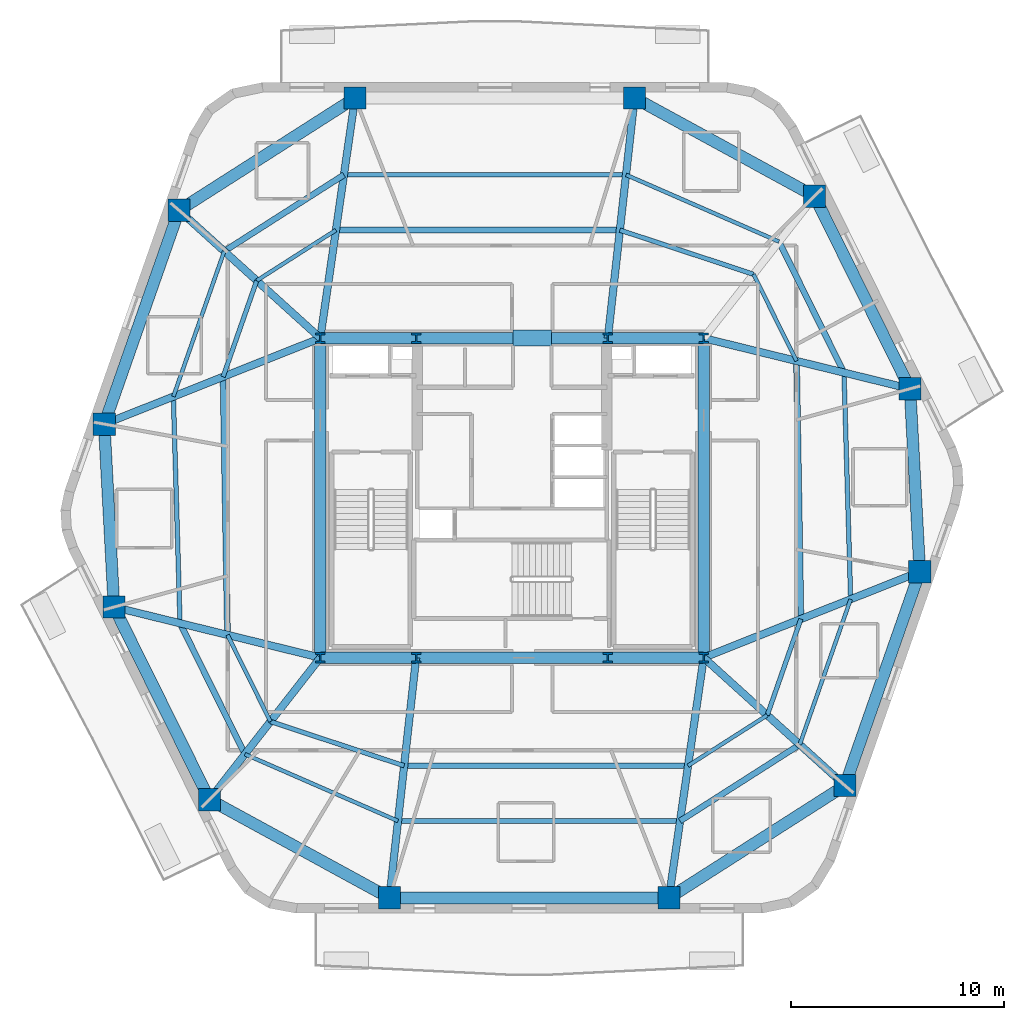
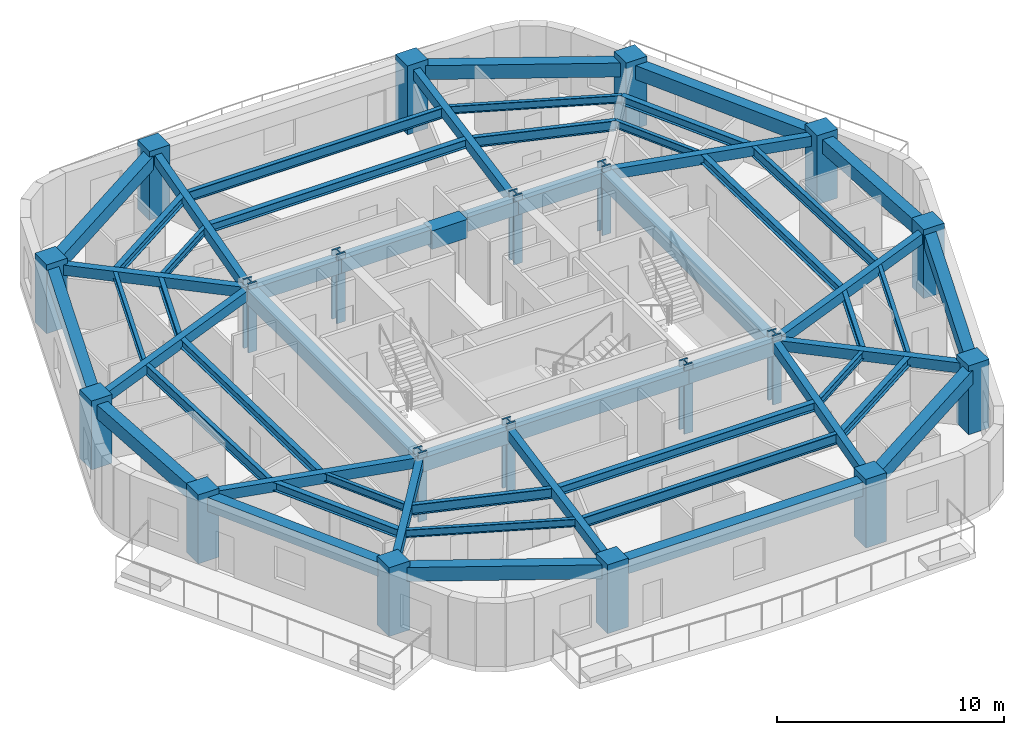
# One storey, part 1 of 10: 55 beams, 20 columns.
"""IFC4 building model written with IfcOpenShell, lengths in metres."""

from ifc_helpers import new_model, si_unit, direction, frame, origin, origin_2d, place, context, subcontext, project, spatial, rectangle, i_section, extrude, material, material_profile, profile_set, type_object, element, save


model = new_model("IFC4")

# Units and contexts
model_context = context("Model", 3, precision=1e-05, world=origin(), true_north=direction((0.0, 1.0)))
body_context = subcontext(model_context, "Body", "Model", "MODEL_VIEW")
ifc_project = project(units=[si_unit("LENGTHUNIT", "METRE"), si_unit("AREAUNIT", "SQUARE_METRE"), si_unit("VOLUMEUNIT", "CUBIC_METRE"), si_unit("PLANEANGLEUNIT", "RADIAN"), si_unit("MASSUNIT", "GRAM", prefix="KILO")], contexts=[model_context])

# Site, building, storey
site_placement = place(None, origin())
site = spatial("IfcSite", under=ifc_project, at=site_placement, CompositionType="ELEMENT")
building_placement = place(site_placement, origin())
building = spatial("IfcBuilding", under=site, at=building_placement, Name="Kilnhurst Terrace Hotel", CompositionType="ELEMENT")
storey_placement = place(building_placement, frame((0.0, 0.0, 186.699951171875)))
storey = spatial("IfcBuildingStorey", under=building, at=storey_placement, Name="L46", CompositionType="ELEMENT", Elevation=186.699951171875)

# Columns
ifc_material_1 = material(Name="Concrete C80/95", Category="concrete")
ifc_material_profile_1 = material_profile(ifc_material_1, rectangle(XDim=1.050048828125, YDim=1.050048828125, at=origin_2d()), Name="RC1050X1050")
ifc_profile_set_1 = profile_set([ifc_material_profile_1], Name="Concrete C80/95")
column_type_1 = type_object("IfcColumnType", Name="COL-RC-1050", PredefinedType="COLUMN", material=ifc_profile_set_1)
for number, where, z_axis, x_axis, name in (
    (1, (-5.7548828125, -18.780029296875, 0.0), (0.0, 0.0, 1.0), (1.0, 0.0, 0.0), "L46 Structural Column PC-F11"),
    (2, (7.368896484375, -18.780029296875, 0.0), (0.0, 0.0, 1.0), (1.0, 0.0, 0.0), "L46 Structural Column PC-F12"),
    (3, (15.633056640625, -13.5048828125, 0.0), (0.0, 0.0, 1.0), (1.0, 0.0, 0.0), "L46 Structural Column PC-F21"),
    (4, (19.14794921875, -3.467041015625, 0.0), (0.0, 0.0, 1.0), (1.0, 0.0, 0.0), "L46 Structural Column PC-F22"),
    (5, (18.68701171875, 5.1240234375, 0.0), (0.0, 0.0, 1.0), (1.0, 0.0, 0.0), "L46 Structural Column PC-F31"),
    (6, (14.2041015625, 14.166015625, 0.0), (0.0, 0.0, 1.0), (1.0, 0.0, 0.0), "L46 Structural Column PC-F32"),
    (7, (5.7548828125, 18.780029296875, 0.0), (0.0, 0.0, 1.0), (1.0, 0.0, 0.0), "L46 Structural Column PC-F41"),
    (8, (-7.368896484375, 18.780029296875, 0.0), (0.0, 0.0, 1.0), (1.0, 0.0, 0.0), "L46 Structural Column PC-F42"),
    (9, (-15.633056640625, 13.5048828125, 0.0), (0.0, 0.0, 1.0), (1.0, 0.0, 0.0), "L46 Structural Column PC-F51"),
    (10, (-19.14794921875, 3.467041015625, 0.0), (0.0, 0.0, 1.0), (1.0, 0.0, 0.0), "L46 Structural Column PC-F52"),
    (11, (-18.68701171875, -5.1240234375, 0.0), (0.0, 0.0, 1.0), (1.0, 0.0, 0.0), "L46 Structural Column PC-F61"),
    (12, (-14.2041015625, -14.166015625, 0.0), (0.0, 0.0, 1.0), (1.0, 0.0, 0.0), "L46 Structural Column PC-F62"),
):
    element("IfcColumn", number, at=place(storey_placement, frame(where, z_axis=z_axis, x_axis=x_axis)), inside=storey, type_object=column_type_1, Name=name, PredefinedType="COLUMN", context=body_context, shape_type="SweptSolid", body=[
        extrude(rectangle(XDim=1.050048828125, YDim=1.050048828125, at=origin_2d()), origin(), (0.0, 0.0, 1.0), 3.699951171875),
    ])
ifc_material_2 = material(Name="Steel ASTM A992 Grade 50", Category="steel")
ifc_material_profile_2 = material_profile(ifc_material_2, i_section(OverallWidth=0.43212890625, OverallDepth=0.497802734375, WebThickness=0.0556640625, FlangeThickness=0.0888671875, at=origin_2d()), Name="W14X500")
ifc_profile_set_2 = profile_set([ifc_material_profile_2], Name="Steel ASTM A992 Grade 50")
column_type_2 = type_object("IfcColumnType", Name="COL-STL-W14X500", PredefinedType="COLUMN", material=ifc_profile_set_2)
for number, where, z_axis, x_axis, name in (
    (13, (-9.0, -7.5, 0.0), (0.0, 0.0, 1.0), (1.0, 0.0, 0.0), "L46 Structural Column CC-SW"),
    (14, (-4.5, -7.5, 0.0), (0.0, 0.0, 1.0), (1.0, 0.0, 0.0), "L46 Structural Column CC-SC1"),
    (15, (4.5, -7.5, 0.0), (0.0, 0.0, 1.0), (1.0, 0.0, 0.0), "L46 Structural Column CC-SC2"),
    (16, (9.0, -7.5, 0.0), (0.0, 0.0, 1.0), (1.0, 0.0, 0.0), "L46 Structural Column CC-SE"),
    (17, (9.0, 7.5, 0.0), (0.0, 0.0, 1.0), (1.0, 0.0, 0.0), "L46 Structural Column CC-NE"),
    (18, (4.5, 7.5, 0.0), (0.0, 0.0, 1.0), (1.0, 0.0, 0.0), "L46 Structural Column CC-NC2"),
    (19, (-4.5, 7.5, 0.0), (0.0, 0.0, 1.0), (1.0, 0.0, 0.0), "L46 Structural Column CC-NC1"),
    (20, (-9.0, 7.5, 0.0), (0.0, 0.0, 1.0), (1.0, 0.0, 0.0), "L46 Structural Column CC-NW"),
):
    element("IfcColumn", number, at=place(storey_placement, frame(where, z_axis=z_axis, x_axis=x_axis)), inside=storey, type_object=column_type_2, Name=name, PredefinedType="COLUMN", context=body_context, shape_type="SweptSolid", body=[
        extrude(i_section(OverallWidth=0.43212890625, OverallDepth=0.497802734375, WebThickness=0.0556640625, FlangeThickness=0.0888671875, at=origin_2d()), origin(), (0.0, 0.0, 1.0), 3.699951171875),
    ])

# Beams
ifc_material_3 = material(Name="Concrete C50/60", Category="concrete")
ifc_material_profile_3 = material_profile(ifc_material_3, rectangle(XDim=0.35009765625, YDim=0.550048828125, at=origin_2d()), Name="RC350X550")
ifc_profile_set_3 = profile_set([ifc_material_profile_3], Name="Concrete C50/60")
beam_type_1 = type_object("IfcBeamType", Name="BM-RAD-350X550", PredefinedType="BEAM", material=ifc_profile_set_3)
beam_1_placement = place(storey_placement, frame((-4.5, -7.5, 3.125), z_axis=(-0.110566099441, -0.993868772854, 0.0), x_axis=(0.993868772854, -0.110566099441, 0.0)))
element("IfcBeam", 21, at=beam_1_placement, inside=storey, type_object=beam_type_1, Name="L46 Radial Floor Beam 1", PredefinedType="BEAM", context=body_context, shape_type="SweptSolid", body=[
    extrude(rectangle(XDim=0.35009765625, YDim=0.550048828125, at=origin_2d()), origin(), (0.0, 0.0, 1.0), 11.349609375),
])
beam_2_placement = place(storey_placement, frame((9.0, -7.5, 3.125), z_axis=(-0.143112538238, -0.989706421824, 0.0), x_axis=(0.989706421824, -0.143112538238, 0.0)))
element("IfcBeam", 22, at=beam_2_placement, inside=storey, type_object=beam_type_1, Name="L46 Radial Floor Beam 2", PredefinedType="BEAM", context=body_context, shape_type="SweptSolid", body=[
    extrude(rectangle(XDim=0.35009765625, YDim=0.550048828125, at=origin_2d()), origin(), (0.0, 0.0, 1.0), 11.3974609375),
])
beam_3_placement = place(storey_placement, frame((9.0, -7.5, 3.125), z_axis=(0.741338585645, -0.671131210296, 0.0), x_axis=(0.671131210296, 0.741338585645, 0.0)))
element("IfcBeam", 23, at=beam_3_placement, inside=storey, type_object=beam_type_1, Name="L46 Radial Floor Beam 3", PredefinedType="BEAM", context=body_context, shape_type="SweptSolid", body=[
    extrude(rectangle(XDim=0.35009765625, YDim=0.550048828125, at=origin_2d()), origin(), (0.0, 0.0, 1.0), 8.947509765625),
])
beam_4_placement = place(storey_placement, frame((9.0, -7.5, 3.125), z_axis=(0.929302373458, 0.369319778356, 0.0), x_axis=(-0.369319778356, 0.929302373458, 0.0)))
element("IfcBeam", 24, at=beam_4_placement, inside=storey, type_object=beam_type_1, Name="L46 Radial Floor Beam 4", PredefinedType="BEAM", context=body_context, shape_type="SweptSolid", body=[
    extrude(rectangle(XDim=0.35009765625, YDim=0.550048828125, at=origin_2d()), origin(), (0.0, 0.0, 1.0), 10.919921875),
])
beam_5_placement = place(storey_placement, frame((9.0, 7.5, 3.125), z_axis=(0.971212767405, -0.238213686486, 0.0), x_axis=(0.238213686486, 0.971212767405, 0.0)))
element("IfcBeam", 25, at=beam_5_placement, inside=storey, type_object=beam_type_1, Name="L46 Radial Floor Beam 5", PredefinedType="BEAM", context=body_context, shape_type="SweptSolid", body=[
    extrude(rectangle(XDim=0.35009765625, YDim=0.550048828125, at=origin_2d()), origin(), (0.0, 0.0, 1.0), 9.97412109375),
])
beam_6_placement = place(storey_placement, frame((4.5, 7.5, 3.125), z_axis=(0.110566099441, 0.993868772854, 0.0), x_axis=(-0.993868772854, 0.110566099441, 0.0)))
element("IfcBeam", 26, at=beam_6_placement, inside=storey, type_object=beam_type_1, Name="L46 Radial Floor Beam 7", PredefinedType="BEAM", context=body_context, shape_type="SweptSolid", body=[
    extrude(rectangle(XDim=0.35009765625, YDim=0.550048828125, at=origin_2d()), origin(), (0.0, 0.0, 1.0), 11.349609375),
])
beam_7_placement = place(storey_placement, frame((-9.0, 7.5, 3.125), z_axis=(0.143112538238, 0.989706421824, 0.0), x_axis=(-0.989706421824, 0.143112538238, 0.0)))
element("IfcBeam", 27, at=beam_7_placement, inside=storey, type_object=beam_type_1, Name="L46 Radial Floor Beam 8", PredefinedType="BEAM", context=body_context, shape_type="SweptSolid", body=[
    extrude(rectangle(XDim=0.35009765625, YDim=0.550048828125, at=origin_2d()), origin(), (0.0, 0.0, 1.0), 11.3974609375),
])
beam_8_placement = place(storey_placement, frame((-9.0, 7.5, 3.125), z_axis=(-0.741338585645, 0.671131210296, 0.0), x_axis=(-0.671131210296, -0.741338585645, 0.0)))
element("IfcBeam", 28, at=beam_8_placement, inside=storey, type_object=beam_type_1, Name="L46 Radial Floor Beam 9", PredefinedType="BEAM", context=body_context, shape_type="SweptSolid", body=[
    extrude(rectangle(XDim=0.35009765625, YDim=0.550048828125, at=origin_2d()), origin(), (0.0, 0.0, 1.0), 8.947509765625),
])
beam_9_placement = place(storey_placement, frame((-9.0, 7.5, 3.125), z_axis=(-0.929302373458, -0.369319778356, 0.0), x_axis=(0.369319778356, -0.929302373458, 0.0)))
element("IfcBeam", 29, at=beam_9_placement, inside=storey, type_object=beam_type_1, Name="L46 Radial Floor Beam 10", PredefinedType="BEAM", context=body_context, shape_type="SweptSolid", body=[
    extrude(rectangle(XDim=0.35009765625, YDim=0.550048828125, at=origin_2d()), origin(), (0.0, 0.0, 1.0), 10.919921875),
])
beam_10_placement = place(storey_placement, frame((-9.0, -7.5, 3.125), z_axis=(-0.971212767405, 0.238213686486, 0.0), x_axis=(-0.238213686486, -0.971212767405, 0.0)))
element("IfcBeam", 30, at=beam_10_placement, inside=storey, type_object=beam_type_1, Name="L46 Radial Floor Beam 11", PredefinedType="BEAM", context=body_context, shape_type="SweptSolid", body=[
    extrude(rectangle(XDim=0.35009765625, YDim=0.550048828125, at=origin_2d()), origin(), (0.0, 0.0, 1.0), 9.97412109375),
])
beam_11_placement = place(storey_placement, frame((-9.0, -7.5, 3.125), z_axis=(-0.615370616457, -0.78823791104, 0.0), x_axis=(0.78823791104, -0.615370616457, 0.0)))
element("IfcBeam", 31, at=beam_11_placement, inside=storey, type_object=beam_type_1, Name="L46 Radial Floor Beam 12", PredefinedType="BEAM", context=body_context, shape_type="SweptSolid", body=[
    extrude(rectangle(XDim=0.35009765625, YDim=0.550048828125, at=origin_2d()), origin(), (0.0, 0.0, 1.0), 8.456787109375),
])
ifc_material_profile_4 = material_profile(ifc_material_3, rectangle(XDim=0.550048828125, YDim=0.75, at=origin_2d()), Name="RC550X750")
ifc_profile_set_4 = profile_set([ifc_material_profile_4], Name="Concrete C50/60")
beam_type_2 = type_object("IfcBeamType", Name="BM-SPN-550X750", PredefinedType="SPANDREL", material=ifc_profile_set_4)
beam_12_placement = place(storey_placement, frame((-9.0, 7.5, 3.025146484375), z_axis=(1.0, 0.0, 0.0), x_axis=(0.0, 1.0, 0.0)))
element("IfcBeam", 32, at=beam_12_placement, inside=storey, type_object=beam_type_2, Name="L46 Core Tie Beam CC-NW to CC-NC1", PredefinedType="SPANDREL", context=body_context, shape_type="SweptSolid", body=[
    extrude(rectangle(XDim=0.550048828125, YDim=0.75, at=origin_2d()), origin(), (0.0, 0.0, 1.0), 4.5),
])
beam_13_placement = place(storey_placement, frame((-4.5, 7.5, 3.025146484375), z_axis=(1.0, 0.0, 0.0), x_axis=(0.0, 1.0, 0.0)))
element("IfcBeam", 33, at=beam_13_placement, inside=storey, type_object=beam_type_2, Name="L46 Core Tie Beam CC-NC1 to CC-NC2", PredefinedType="SPANDREL", context=body_context, shape_type="SweptSolid", body=[
    extrude(rectangle(XDim=0.550048828125, YDim=0.75, at=origin_2d()), origin(), (0.0, 0.0, 1.0), 9.0),
])
for number, where, z_axis, x_axis, name in (
    (34, (4.5, 7.5, 3.025146484375), (1.0, 0.0, 0.0), (0.0, 1.0, 0.0), "L46 Core Tie Beam CC-NC2 to CC-NE"),
    (35, (-9.0, -7.5, 3.025146484375), (1.0, 0.0, 0.0), (0.0, 1.0, 0.0), "L46 Core Tie Beam CC-SW to CC-SC1"),
):
    element("IfcBeam", number, at=place(storey_placement, frame(where, z_axis=z_axis, x_axis=x_axis)), inside=storey, type_object=beam_type_2, Name=name, PredefinedType="SPANDREL", context=body_context, shape_type="SweptSolid", body=[
        extrude(rectangle(XDim=0.550048828125, YDim=0.75, at=origin_2d()), origin(), (0.0, 0.0, 1.0), 4.5),
    ])
beam_14_placement = place(storey_placement, frame((-4.5, -7.5, 3.025146484375), z_axis=(1.0, 0.0, 0.0), x_axis=(0.0, 1.0, 0.0)))
element("IfcBeam", 36, at=beam_14_placement, inside=storey, type_object=beam_type_2, Name="L46 Core Tie Beam CC-SC1 to CC-SC2", PredefinedType="SPANDREL", context=body_context, shape_type="SweptSolid", body=[
    extrude(rectangle(XDim=0.550048828125, YDim=0.75, at=origin_2d()), origin(), (0.0, 0.0, 1.0), 9.0),
])
beam_15_placement = place(storey_placement, frame((4.5, -7.5, 3.025146484375), z_axis=(1.0, 0.0, 0.0), x_axis=(0.0, 1.0, 0.0)))
element("IfcBeam", 37, at=beam_15_placement, inside=storey, type_object=beam_type_2, Name="L46 Core Tie Beam CC-SC2 to CC-SE", PredefinedType="SPANDREL", context=body_context, shape_type="SweptSolid", body=[
    extrude(rectangle(XDim=0.550048828125, YDim=0.75, at=origin_2d()), origin(), (0.0, 0.0, 1.0), 4.5),
])
for number, where, z_axis, x_axis, name in (
    (38, (-9.0, -7.5, 3.025146484375), (0.0, 1.0, 0.0), (-1.0, 0.0, 0.0), "L46 Core Tie Beam CC-SW to CC-NW"),
    (39, (9.0, -7.5, 3.025146484375), (0.0, 1.0, 0.0), (-1.0, 0.0, 0.0), "L46 Core Tie Beam CC-SE to CC-NE"),
):
    element("IfcBeam", number, at=place(storey_placement, frame(where, z_axis=z_axis, x_axis=x_axis)), inside=storey, type_object=beam_type_2, Name=name, PredefinedType="SPANDREL", context=body_context, shape_type="SweptSolid", body=[
        extrude(rectangle(XDim=0.550048828125, YDim=0.75, at=origin_2d()), origin(), (0.0, 0.0, 1.0), 15.0),
    ])
beam_16_placement = place(storey_placement, frame((-5.7548828125, -18.780029296875, 3.025146484375), z_axis=(1.0, 0.0, 0.0), x_axis=(0.0, 1.0, 0.0)))
element("IfcBeam", 40, at=beam_16_placement, inside=storey, type_object=beam_type_2, Name="L46 Perimeter Spandrel Beam 1", PredefinedType="SPANDREL", context=body_context, shape_type="SweptSolid", body=[
    extrude(rectangle(XDim=0.550048828125, YDim=0.75, at=origin_2d()), origin(), (0.0, 0.0, 1.0), 13.123779296875),
])
beam_17_placement = place(storey_placement, frame((7.368896484375, -18.780029296875, 3.025146484375), z_axis=(0.842915241256, 0.538046369803, 0.0), x_axis=(-0.538046369803, 0.842915241256, 0.0)))
element("IfcBeam", 41, at=beam_17_placement, inside=storey, type_object=beam_type_2, Name="L46 Perimeter Spandrel Beam 2", PredefinedType="SPANDREL", context=body_context, shape_type="SweptSolid", body=[
    extrude(rectangle(XDim=0.550048828125, YDim=0.75, at=origin_2d()), origin(), (0.0, 0.0, 1.0), 9.80419921875),
])
beam_18_placement = place(storey_placement, frame((15.633056640625, -13.5048828125, 3.025146484375), z_axis=(0.330488460168, 0.943810032632, 0.0), x_axis=(-0.943810032632, 0.330488460168, 0.0)))
element("IfcBeam", 42, at=beam_18_placement, inside=storey, type_object=beam_type_2, Name="L46 Perimeter Spandrel Beam 3", PredefinedType="SPANDREL", context=body_context, shape_type="SweptSolid", body=[
    extrude(rectangle(XDim=0.550048828125, YDim=0.75, at=origin_2d()), origin(), (0.0, 0.0, 1.0), 10.635498046875),
])
beam_19_placement = place(storey_placement, frame((19.14794921875, -3.467041015625, 3.025146484375), z_axis=(-0.053576072051, 0.998563770875, 0.0), x_axis=(-0.998563770875, -0.053576072051, 0.0)))
element("IfcBeam", 43, at=beam_19_placement, inside=storey, type_object=beam_type_2, Name="L46 Perimeter Spandrel Beam 4", PredefinedType="SPANDREL", context=body_context, shape_type="SweptSolid", body=[
    extrude(rectangle(XDim=0.550048828125, YDim=0.75, at=origin_2d()), origin(), (0.0, 0.0, 1.0), 8.603515625),
])
beam_20_placement = place(storey_placement, frame((18.68701171875, 5.1240234375, 3.025146484375), z_axis=(-0.444192032261, 0.895931603682, 0.0), x_axis=(-0.895931603682, -0.444192032261, 0.0)))
element("IfcBeam", 44, at=beam_20_placement, inside=storey, type_object=beam_type_2, Name="L46 Perimeter Spandrel Beam 5", PredefinedType="SPANDREL", context=body_context, shape_type="SweptSolid", body=[
    extrude(rectangle(XDim=0.550048828125, YDim=0.75, at=origin_2d()), origin(), (0.0, 0.0, 1.0), 10.09228515625),
])
beam_21_placement = place(storey_placement, frame((14.2041015625, 14.166015625, 3.025146484375), z_axis=(-0.87766189723, 0.479280287672, 0.0), x_axis=(-0.479280287672, -0.87766189723, 0.0)))
element("IfcBeam", 45, at=beam_21_placement, inside=storey, type_object=beam_type_2, Name="L46 Perimeter Spandrel Beam 6", PredefinedType="SPANDREL", context=body_context, shape_type="SweptSolid", body=[
    extrude(rectangle(XDim=0.550048828125, YDim=0.75, at=origin_2d()), origin(), (0.0, 0.0, 1.0), 9.626953125),
])
beam_22_placement = place(storey_placement, frame((-7.368896484375, 18.780029296875, 3.025146484375), z_axis=(-0.842915241256, -0.538046369803, 0.0), x_axis=(0.538046369803, -0.842915241256, 0.0)))
element("IfcBeam", 46, at=beam_22_placement, inside=storey, type_object=beam_type_2, Name="L46 Perimeter Spandrel Beam 8", PredefinedType="SPANDREL", context=body_context, shape_type="SweptSolid", body=[
    extrude(rectangle(XDim=0.550048828125, YDim=0.75, at=origin_2d()), origin(), (0.0, 0.0, 1.0), 9.80419921875),
])
beam_23_placement = place(storey_placement, frame((-15.633056640625, 13.5048828125, 3.025146484375), z_axis=(-0.330488460168, -0.943810032632, 0.0), x_axis=(0.943810032632, -0.330488460168, 0.0)))
element("IfcBeam", 47, at=beam_23_placement, inside=storey, type_object=beam_type_2, Name="L46 Perimeter Spandrel Beam 9", PredefinedType="SPANDREL", context=body_context, shape_type="SweptSolid", body=[
    extrude(rectangle(XDim=0.550048828125, YDim=0.75, at=origin_2d()), origin(), (0.0, 0.0, 1.0), 10.635498046875),
])
beam_24_placement = place(storey_placement, frame((-19.14794921875, 3.467041015625, 3.025146484375), z_axis=(0.053576072051, -0.998563770875, 0.0), x_axis=(0.998563770875, 0.053576072051, 0.0)))
element("IfcBeam", 48, at=beam_24_placement, inside=storey, type_object=beam_type_2, Name="L46 Perimeter Spandrel Beam 10", PredefinedType="SPANDREL", context=body_context, shape_type="SweptSolid", body=[
    extrude(rectangle(XDim=0.550048828125, YDim=0.75, at=origin_2d()), origin(), (0.0, 0.0, 1.0), 8.603515625),
])
beam_25_placement = place(storey_placement, frame((-18.68701171875, -5.1240234375, 3.025146484375), z_axis=(0.444192032261, -0.895931603682, 0.0), x_axis=(0.895931603682, 0.444192032261, 0.0)))
element("IfcBeam", 49, at=beam_25_placement, inside=storey, type_object=beam_type_2, Name="L46 Perimeter Spandrel Beam 11", PredefinedType="SPANDREL", context=body_context, shape_type="SweptSolid", body=[
    extrude(rectangle(XDim=0.550048828125, YDim=0.75, at=origin_2d()), origin(), (0.0, 0.0, 1.0), 10.09228515625),
])
beam_26_placement = place(storey_placement, frame((-14.2041015625, -14.166015625, 3.025146484375), z_axis=(0.87766189723, -0.479280287672, 0.0), x_axis=(0.479280287672, 0.87766189723, 0.0)))
element("IfcBeam", 50, at=beam_26_placement, inside=storey, type_object=beam_type_2, Name="L46 Perimeter Spandrel Beam 12", PredefinedType="SPANDREL", context=body_context, shape_type="SweptSolid", body=[
    extrude(rectangle(XDim=0.550048828125, YDim=0.75, at=origin_2d()), origin(), (0.0, 0.0, 1.0), 9.626953125),
])
ifc_material_profile_5 = material_profile(ifc_material_2, i_section(OverallWidth=0.180908203125, OverallDepth=0.417236328125, WebThickness=0.010986328125, FlangeThickness=0.018310546875, at=origin_2d()), Name="W16X57")
ifc_profile_set_5 = profile_set([ifc_material_profile_5], Name="Steel ASTM A992 Grade 50")
beam_type_3 = type_object("IfcBeamType", Name="JST-STL-W16X57", PredefinedType="JOIST", material=ifc_profile_set_5)
beam_27_placement = place(storey_placement, frame((13.510498046875, -11.58349609375, 3.191162109375), z_axis=(0.330481239411, 0.943812561051, 0.0), x_axis=(-0.943812561051, 0.330481239411, 0.0)))
element("IfcBeam", 51, at=beam_27_placement, inside=storey, type_object=beam_type_3, Name="L46 Secondary Floor Steel Joist OUT.3", PredefinedType="JOIST", context=body_context, shape_type="SweptSolid", body=[
    extrude(i_section(OverallWidth=0.180908203125, OverallDepth=0.417236328125, WebThickness=0.010986328125, FlangeThickness=0.018310546875, at=origin_2d()), origin(), (0.0, 0.0, 1.0), 7.232177734375),
])
beam_28_placement = place(storey_placement, frame((12.538818359375, 12.032958984375, 3.191162109375), z_axis=(-0.916443679054, 0.400163695407, 0.0), x_axis=(-0.400163695407, -0.916443679054, 0.0)))
element("IfcBeam", 52, at=beam_28_placement, inside=storey, type_object=beam_type_3, Name="L46 Secondary Floor Steel Joist OUT.6", PredefinedType="JOIST", context=body_context, shape_type="SweptSolid", body=[
    extrude(i_section(OverallWidth=0.180908203125, OverallDepth=0.417236328125, WebThickness=0.010986328125, FlangeThickness=0.018310546875, at=origin_2d()), origin(), (0.0, 0.0, 1.0), 7.84033203125),
])
beam_29_placement = place(storey_placement, frame((-13.510498046875, 11.58349609375, 3.191162109375), z_axis=(-0.330481239411, -0.943812561051, 0.0), x_axis=(0.943812561051, -0.330481239411, 0.0)))
element("IfcBeam", 53, at=beam_29_placement, inside=storey, type_object=beam_type_3, Name="L46 Secondary Floor Steel Joist OUT.9", PredefinedType="JOIST", context=body_context, shape_type="SweptSolid", body=[
    extrude(i_section(OverallWidth=0.180908203125, OverallDepth=0.417236328125, WebThickness=0.010986328125, FlangeThickness=0.018310546875, at=origin_2d()), origin(), (0.0, 0.0, 1.0), 7.232177734375),
])
beam_30_placement = place(storey_placement, frame((-12.538818359375, -12.032958984375, 3.191162109375), z_axis=(0.916443679054, -0.400163695407, 0.0), x_axis=(0.400163695407, 0.916443679054, 0.0)))
element("IfcBeam", 54, at=beam_30_placement, inside=storey, type_object=beam_type_3, Name="L46 Secondary Floor Steel Joist OUT.12", PredefinedType="JOIST", context=body_context, shape_type="SweptSolid", body=[
    extrude(i_section(OverallWidth=0.180908203125, OverallDepth=0.417236328125, WebThickness=0.010986328125, FlangeThickness=0.018310546875, at=origin_2d()), origin(), (0.0, 0.0, 1.0), 7.84033203125),
])
beam_31_placement = place(storey_placement, frame((8.26611328125, -12.575927734375, 3.191162109375), z_axis=(0.842910995806, 0.53805302076, 0.0), x_axis=(-0.53805302076, 0.842910995806, 0.0)))
element("IfcBeam", 55, at=beam_31_placement, inside=storey, type_object=beam_type_3, Name="L46 Secondary Floor Steel Joist IN.2", PredefinedType="JOIST", context=body_context, shape_type="SweptSolid", body=[
    extrude(i_section(OverallWidth=0.180908203125, OverallDepth=0.417236328125, WebThickness=0.010986328125, FlangeThickness=0.018310546875, at=origin_2d()), origin(), (0.0, 0.0, 1.0), 4.411865234375),
])
beam_32_placement = place(storey_placement, frame((13.359130859375, 6.430908203125, 3.191162109375), z_axis=(-0.444200626094, 0.895927342912, 0.0), x_axis=(-0.895927342912, -0.444200626094, 0.0)))
element("IfcBeam", 56, at=beam_32_placement, inside=storey, type_object=beam_type_3, Name="L46 Secondary Floor Steel Joist IN.5", PredefinedType="JOIST", context=body_context, shape_type="SweptSolid", body=[
    extrude(i_section(OverallWidth=0.180908203125, OverallDepth=0.417236328125, WebThickness=0.010986328125, FlangeThickness=0.018310546875, at=origin_2d()), origin(), (0.0, 0.0, 1.0), 4.54150390625),
])
beam_33_placement = place(storey_placement, frame((-8.26611328125, 12.575927734375, 3.191162109375), z_axis=(-0.842910995806, -0.53805302076, 0.0), x_axis=(0.53805302076, -0.842910995806, 0.0)))
element("IfcBeam", 57, at=beam_33_placement, inside=storey, type_object=beam_type_3, Name="L46 Secondary Floor Steel Joist IN.8", PredefinedType="JOIST", context=body_context, shape_type="SweptSolid", body=[
    extrude(i_section(OverallWidth=0.180908203125, OverallDepth=0.417236328125, WebThickness=0.010986328125, FlangeThickness=0.018310546875, at=origin_2d()), origin(), (0.0, 0.0, 1.0), 4.411865234375),
])
beam_34_placement = place(storey_placement, frame((-13.359130859375, -6.430908203125, 3.191162109375), z_axis=(0.444200626094, -0.895927342912, 0.0), x_axis=(0.895927342912, 0.444200626094, 0.0)))
element("IfcBeam", 58, at=beam_34_placement, inside=storey, type_object=beam_type_3, Name="L46 Secondary Floor Steel Joist IN.11", PredefinedType="JOIST", context=body_context, shape_type="SweptSolid", body=[
    extrude(i_section(OverallWidth=0.180908203125, OverallDepth=0.417236328125, WebThickness=0.010986328125, FlangeThickness=0.018310546875, at=origin_2d()), origin(), (0.0, 0.0, 1.0), 4.54150390625),
])
ifc_material_profile_6 = material_profile(ifc_material_2, i_section(OverallWidth=0.279296875, OverallDepth=0.462890625, WebThickness=0.0107421875, FlangeThickness=0.017333984375, at=origin_2d()), Name="W18X76")
ifc_profile_set_6 = profile_set([ifc_material_profile_6], Name="Steel ASTM A992 Grade 50")
beam_type_4 = type_object("IfcBeamType", Name="JST-STL-W18X76", PredefinedType="JOIST", material=ifc_profile_set_6)
beam_35_placement = place(storey_placement, frame((7.890869140625, -15.17041015625, 3.16796875), z_axis=(0.842927863369, 0.538026595213, 0.0), x_axis=(-0.538026595213, 0.842927863369, 0.0)))
element("IfcBeam", 59, at=beam_35_placement, inside=storey, type_object=beam_type_4, Name="L46 Secondary Floor Steel Joist OUT.2", PredefinedType="JOIST", context=body_context, shape_type="SweptSolid", body=[
    extrude(i_section(OverallWidth=0.279296875, OverallDepth=0.462890625, WebThickness=0.0107421875, FlangeThickness=0.017333984375, at=origin_2d()), origin(), (0.0, 0.0, 1.0), 6.666748046875),
])
beam_36_placement = place(storey_placement, frame((15.587158203125, 5.88427734375, 3.16796875), z_axis=(-0.444180101574, 0.895937518673, 0.0), x_axis=(-0.895937518673, -0.444180101574, 0.0)))
element("IfcBeam", 60, at=beam_36_placement, inside=storey, type_object=beam_type_4, Name="L46 Secondary Floor Steel Joist OUT.5", PredefinedType="JOIST", context=body_context, shape_type="SweptSolid", body=[
    extrude(i_section(OverallWidth=0.279296875, OverallDepth=0.462890625, WebThickness=0.0107421875, FlangeThickness=0.017333984375, at=origin_2d()), origin(), (0.0, 0.0, 1.0), 6.86279296875),
])
beam_37_placement = place(storey_placement, frame((-7.890869140625, 15.17041015625, 3.16796875), z_axis=(-0.842927863369, -0.538026595213, 0.0), x_axis=(0.538026595213, -0.842927863369, 0.0)))
element("IfcBeam", 61, at=beam_37_placement, inside=storey, type_object=beam_type_4, Name="L46 Secondary Floor Steel Joist OUT.8", PredefinedType="JOIST", context=body_context, shape_type="SweptSolid", body=[
    extrude(i_section(OverallWidth=0.279296875, OverallDepth=0.462890625, WebThickness=0.0107421875, FlangeThickness=0.017333984375, at=origin_2d()), origin(), (0.0, 0.0, 1.0), 6.666748046875),
])
beam_38_placement = place(storey_placement, frame((-15.587158203125, -5.88427734375, 3.16796875), z_axis=(0.444180101574, -0.895937518673, 0.0), x_axis=(0.895937518673, 0.444180101574, 0.0)))
element("IfcBeam", 62, at=beam_38_placement, inside=storey, type_object=beam_type_4, Name="L46 Secondary Floor Steel Joist OUT.11", PredefinedType="JOIST", context=body_context, shape_type="SweptSolid", body=[
    extrude(i_section(OverallWidth=0.279296875, OverallDepth=0.462890625, WebThickness=0.0107421875, FlangeThickness=0.017333984375, at=origin_2d()), origin(), (0.0, 0.0, 1.0), 6.86279296875),
])
beam_39_placement = place(storey_placement, frame((-5.064697265625, -12.575927734375, 3.16796875), z_axis=(1.0, 0.0, 0.0), x_axis=(0.0, 1.0, 0.0)))
element("IfcBeam", 63, at=beam_39_placement, inside=storey, type_object=beam_type_4, Name="L46 Secondary Floor Steel Joist IN.1", PredefinedType="JOIST", context=body_context, shape_type="SweptSolid", body=[
    extrude(i_section(OverallWidth=0.279296875, OverallDepth=0.462890625, WebThickness=0.0107421875, FlangeThickness=0.017333984375, at=origin_2d()), origin(), (0.0, 0.0, 1.0), 13.330810546875),
])
beam_40_placement = place(storey_placement, frame((13.566650390625, -5.685302734375, 3.16796875), z_axis=(-0.017124916462, 0.999853357866, 0.0), x_axis=(-0.999853357866, -0.017124916462, 0.0)))
element("IfcBeam", 64, at=beam_40_placement, inside=storey, type_object=beam_type_4, Name="L46 Secondary Floor Steel Joist IN.4", PredefinedType="JOIST", context=body_context, shape_type="SweptSolid", body=[
    extrude(i_section(OverallWidth=0.279296875, OverallDepth=0.462890625, WebThickness=0.0107421875, FlangeThickness=0.017333984375, at=origin_2d()), origin(), (0.0, 0.0, 1.0), 12.117919921875),
])
beam_41_placement = place(storey_placement, frame((5.064697265625, 12.575927734375, 3.16796875), z_axis=(-1.0, 0.0, 0.0), x_axis=(0.0, -1.0, 0.0)))
element("IfcBeam", 65, at=beam_41_placement, inside=storey, type_object=beam_type_4, Name="L46 Secondary Floor Steel Joist IN.7", PredefinedType="JOIST", context=body_context, shape_type="SweptSolid", body=[
    extrude(i_section(OverallWidth=0.279296875, OverallDepth=0.462890625, WebThickness=0.0107421875, FlangeThickness=0.017333984375, at=origin_2d()), origin(), (0.0, 0.0, 1.0), 13.330810546875),
])
beam_42_placement = place(storey_placement, frame((-13.566650390625, 5.685302734375, 3.16796875), z_axis=(0.017124916462, -0.999853357866, 0.0), x_axis=(0.999853357866, 0.017124916462, 0.0)))
element("IfcBeam", 66, at=beam_42_placement, inside=storey, type_object=beam_type_4, Name="L46 Secondary Floor Steel Joist IN.10", PredefinedType="JOIST", context=body_context, shape_type="SweptSolid", body=[
    extrude(i_section(OverallWidth=0.279296875, OverallDepth=0.462890625, WebThickness=0.0107421875, FlangeThickness=0.017333984375, at=origin_2d()), origin(), (0.0, 0.0, 1.0), 12.117919921875),
])
ifc_material_profile_7 = material_profile(ifc_material_2, i_section(OverallWidth=0.2138671875, OverallDepth=0.549072265625, WebThickness=0.0146484375, FlangeThickness=0.023681640625, at=origin_2d()), Name="W21X93")
ifc_profile_set_7 = profile_set([ifc_material_profile_7], Name="Steel ASTM A992 Grade 50")
beam_type_5 = type_object("IfcBeamType", Name="JST-STL-W21X93", PredefinedType="JOIST", material=ifc_profile_set_7)
beam_43_placement = place(storey_placement, frame((-5.353515625, -15.17041015625, 3.125), z_axis=(1.0, 0.0, 0.0), x_axis=(0.0, 1.0, 0.0)))
element("IfcBeam", 67, at=beam_43_placement, inside=storey, type_object=beam_type_5, Name="L46 Secondary Floor Steel Joist OUT.1", PredefinedType="JOIST", context=body_context, shape_type="SweptSolid", body=[
    extrude(i_section(OverallWidth=0.2138671875, OverallDepth=0.549072265625, WebThickness=0.0146484375, FlangeThickness=0.023681640625, at=origin_2d()), origin(), (0.0, 0.0, 1.0), 13.244384765625),
])
beam_44_placement = place(storey_placement, frame((15.900634765625, -4.757568359375, 3.125), z_axis=(-0.029444201298, 0.999566425512, 0.0), x_axis=(-0.999566425512, -0.029444201298, 0.0)))
element("IfcBeam", 68, at=beam_44_placement, inside=storey, type_object=beam_type_5, Name="L46 Secondary Floor Steel Joist OUT.4", PredefinedType="JOIST", context=body_context, shape_type="SweptSolid", body=[
    extrude(i_section(OverallWidth=0.2138671875, OverallDepth=0.549072265625, WebThickness=0.0146484375, FlangeThickness=0.023681640625, at=origin_2d()), origin(), (0.0, 0.0, 1.0), 10.646484375),
])
beam_45_placement = place(storey_placement, frame((5.353515625, 15.17041015625, 3.125), z_axis=(-1.0, 0.0, 0.0), x_axis=(0.0, -1.0, 0.0)))
element("IfcBeam", 69, at=beam_45_placement, inside=storey, type_object=beam_type_5, Name="L46 Secondary Floor Steel Joist OUT.7", PredefinedType="JOIST", context=body_context, shape_type="SweptSolid", body=[
    extrude(i_section(OverallWidth=0.2138671875, OverallDepth=0.549072265625, WebThickness=0.0146484375, FlangeThickness=0.023681640625, at=origin_2d()), origin(), (0.0, 0.0, 1.0), 13.244384765625),
])
beam_46_placement = place(storey_placement, frame((-15.900634765625, 4.757568359375, 3.125), z_axis=(0.029444201298, -0.999566425512, 0.0), x_axis=(0.999566425512, 0.029444201298, 0.0)))
element("IfcBeam", 70, at=beam_46_placement, inside=storey, type_object=beam_type_5, Name="L46 Secondary Floor Steel Joist OUT.10", PredefinedType="JOIST", context=body_context, shape_type="SweptSolid", body=[
    extrude(i_section(OverallWidth=0.2138671875, OverallDepth=0.549072265625, WebThickness=0.0146484375, FlangeThickness=0.023681640625, at=origin_2d()), origin(), (0.0, 0.0, 1.0), 10.646484375),
])
beam_47_placement = place(storey_placement, frame((11.98486328125, -10.2021484375, 3.125), z_axis=(0.330516298629, 0.943800284139, 0.0), x_axis=(-0.943800284139, 0.330516298629, 0.0)))
element("IfcBeam", 71, at=beam_47_placement, inside=storey, type_object=beam_type_5, Name="L46 Secondary Floor Steel Joist IN.3", PredefinedType="JOIST", context=body_context, shape_type="SweptSolid", body=[
    extrude(i_section(OverallWidth=0.2138671875, OverallDepth=0.549072265625, WebThickness=0.0146484375, FlangeThickness=0.023681640625, at=origin_2d()), origin(), (0.0, 0.0, 1.0), 4.785888671875),
])
beam_48_placement = place(storey_placement, frame((11.341796875, 10.499755859375, 3.125), z_axis=(-0.949415572736, 0.314022404051, 0.0), x_axis=(-0.314022404051, -0.949415572736, 0.0)))
element("IfcBeam", 72, at=beam_48_placement, inside=storey, type_object=beam_type_5, Name="L46 Secondary Floor Steel Joist IN.6", PredefinedType="JOIST", context=body_context, shape_type="SweptSolid", body=[
    extrude(i_section(OverallWidth=0.2138671875, OverallDepth=0.549072265625, WebThickness=0.0146484375, FlangeThickness=0.023681640625, at=origin_2d()), origin(), (0.0, 0.0, 1.0), 6.611572265625),
])
beam_49_placement = place(storey_placement, frame((-11.98486328125, 10.2021484375, 3.125), z_axis=(-0.330516298629, -0.943800284139, 0.0), x_axis=(0.943800284139, -0.330516298629, 0.0)))
element("IfcBeam", 73, at=beam_49_placement, inside=storey, type_object=beam_type_5, Name="L46 Secondary Floor Steel Joist IN.9", PredefinedType="JOIST", context=body_context, shape_type="SweptSolid", body=[
    extrude(i_section(OverallWidth=0.2138671875, OverallDepth=0.549072265625, WebThickness=0.0146484375, FlangeThickness=0.023681640625, at=origin_2d()), origin(), (0.0, 0.0, 1.0), 4.785888671875),
])
beam_50_placement = place(storey_placement, frame((-11.341796875, -10.499755859375, 3.125), z_axis=(0.949415572736, -0.314022404051, 0.0), x_axis=(0.314022404051, 0.949415572736, 0.0)))
element("IfcBeam", 74, at=beam_50_placement, inside=storey, type_object=beam_type_5, Name="L46 Secondary Floor Steel Joist IN.12", PredefinedType="JOIST", context=body_context, shape_type="SweptSolid", body=[
    extrude(i_section(OverallWidth=0.2138671875, OverallDepth=0.549072265625, WebThickness=0.0146484375, FlangeThickness=0.023681640625, at=origin_2d()), origin(), (0.0, 0.0, 1.0), 6.611572265625),
])
ifc_material_4 = material(Name="Concrete C60/75", Category="concrete")
ifc_material_profile_8 = material_profile(ifc_material_4, rectangle(XDim=0.75, YDim=1.0, at=origin_2d()), Name="RC750X1000")
ifc_profile_set_8 = profile_set([ifc_material_profile_8], Name="Concrete C60/75")
beam_type_6 = type_object("IfcBeamType", Name="LNT-CB-750X1000", PredefinedType="LINTEL", material=ifc_profile_set_8)
beam_51_placement = place(storey_placement, frame((0.050048828125, 7.5, 2.900146484375), z_axis=(1.0, 0.0, 0.0), x_axis=(0.0, 1.0, 0.0)))
element("IfcBeam", 75, at=beam_51_placement, inside=storey, type_object=beam_type_6, Name="L46 North Core Coupling Link Beam", PredefinedType="LINTEL", context=body_context, shape_type="SweptSolid", body=[
    extrude(rectangle(XDim=0.75, YDim=1.0, at=origin_2d()), origin(), (0.0, 0.0, 1.0), 1.800048828125),
])

save(model, "model.ifc")
